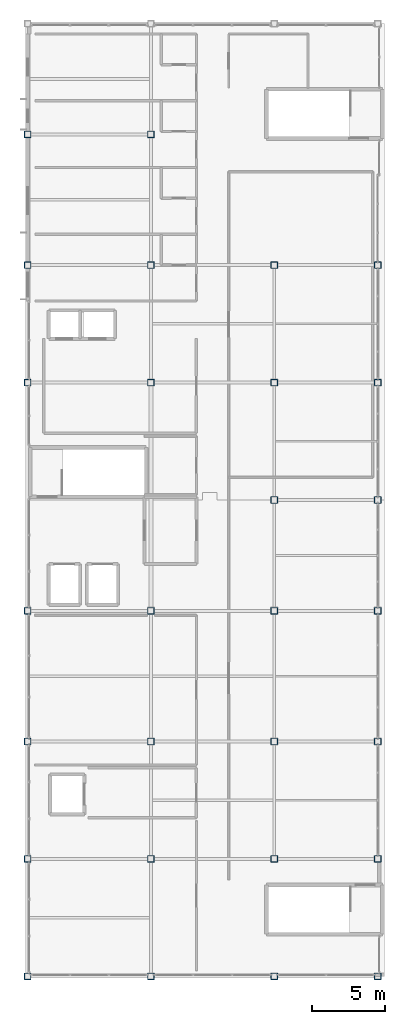
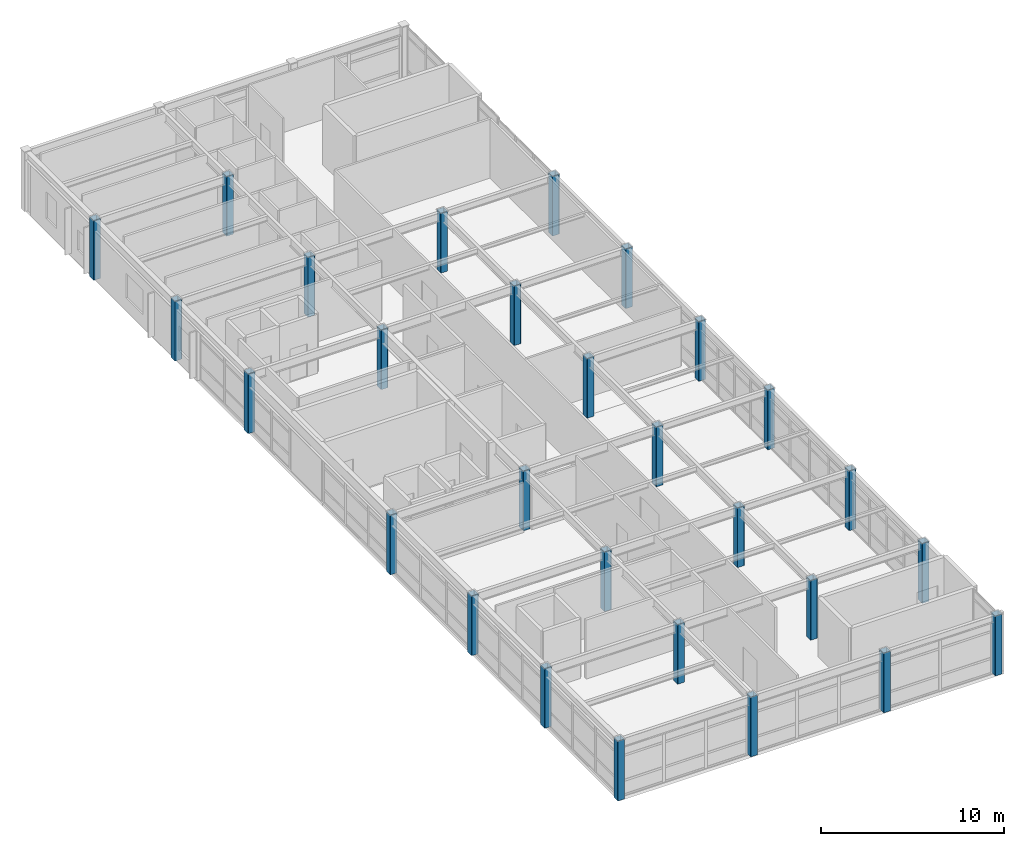
# One storey, part 1 of 34: 28 columns.
"""IFC4 building model written with IfcOpenShell, lengths in metres."""

from ifc_helpers import new_model, si_unit, direction, frame, origin, origin_2d, place, context, subcontext, project, spatial, hollow_rectangle, extrude, material, material_profile, profile_set, type_object, element, save


model = new_model("IFC4")

# Units and contexts
model_context = context("Model", 3, precision=1e-05, world=origin(), true_north=direction((0.0, 1.0)))
body_context = subcontext(model_context, "Body", "Model", "MODEL_VIEW")
ifc_project = project(units=[si_unit("LENGTHUNIT", "METRE"), si_unit("AREAUNIT", "SQUARE_METRE"), si_unit("VOLUMEUNIT", "CUBIC_METRE"), si_unit("PLANEANGLEUNIT", "RADIAN"), si_unit("MASSUNIT", "GRAM", prefix="KILO")], contexts=[model_context])

# Site, building, storey
site_placement = place(None, origin())
site = spatial("IfcSite", under=ifc_project, at=site_placement, CompositionType="ELEMENT")
building_placement = place(site_placement, origin())
building = spatial("IfcBuilding", under=site, at=building_placement, Name="Kazehara Bluff Congress Hotel", CompositionType="ELEMENT")
storey_placement = place(building_placement, frame((0.0, 0.0, 46.199951171875)))
storey = spatial("IfcBuildingStorey", under=building, at=storey_placement, Name="L11", CompositionType="ELEMENT", Elevation=46.199951171875)

# Columns
ifc_material = material(Name="Steel BCR295", Category="steel")
ifc_material_profile = material_profile(ifc_material, hollow_rectangle(XDim=0.449951171875, YDim=0.449951171875, WallThickness=0.01904296875, InnerFilletRadius=0.01904296875, OuterFilletRadius=0.0380859375, at=origin_2d()))
ifc_profile_set = profile_set([ifc_material_profile], Name="Steel BCR295")
column_type = type_object("IfcColumnType", Name="TP-C-08", PredefinedType="COLUMN", material=ifc_profile_set)
for number, where, z_axis, x_axis, name in (
    (1, (143.699951171875, 16.0, 0.0), (0.0, 0.0, 1.0), (1.0, 0.0, 0.0), "L11 column C-08 (143.70,16.00)"),
    (2, (143.699951171875, 24.0, 0.0), (0.0, 0.0, 1.0), (1.0, 0.0, 0.0), "L11 column C-08 (143.70,24.00)"),
    (3, (143.699951171875, 32.0, 0.0), (0.0, 0.0, 1.0), (1.0, 0.0, 0.0), "L11 column C-08 (143.70,32.00)"),
    (4, (143.699951171875, 40.89990234375, 0.0), (0.0, 0.0, 1.0), (1.0, 0.0, 0.0), "L11 column C-08 (143.70,40.90)"),
    (5, (143.699951171875, 56.449951171875, 0.0), (0.0, 0.0, 1.0), (1.0, 0.0, 0.0), "L11 column C-08 (143.70,56.45)"),
    (6, (143.699951171875, 64.449951171875, 0.0), (0.0, 0.0, 1.0), (1.0, 0.0, 0.0), "L11 column C-08 (143.70,64.45)"),
    (7, (143.699951171875, 73.35009765625, 0.0), (0.0, 0.0, 1.0), (1.0, 0.0, 0.0), "L11 column C-08 (143.70,73.35)"),
    (8, (152.10009765625, 16.0, 0.0), (0.0, 0.0, 1.0), (1.0, 0.0, 0.0), "L11 column C-08 (152.10,16.00)"),
    (9, (152.10009765625, 24.0, 0.0), (0.0, 0.0, 1.0), (1.0, 0.0, 0.0), "L11 column C-08 (152.10,24.00)"),
    (10, (152.10009765625, 32.0, 0.0), (0.0, 0.0, 1.0), (1.0, 0.0, 0.0), "L11 column C-08 (152.10,32.00)"),
    (11, (152.10009765625, 40.89990234375, 0.0), (0.0, 0.0, 1.0), (1.0, 0.0, 0.0), "L11 column C-08 (152.10,40.90)"),
    (12, (152.10009765625, 56.449951171875, 0.0), (0.0, 0.0, 1.0), (1.0, 0.0, 0.0), "L11 column C-08 (152.10,56.45)"),
    (13, (152.10009765625, 64.449951171875, 0.0), (0.0, 0.0, 1.0), (1.0, 0.0, 0.0), "L11 column C-08 (152.10,64.45)"),
    (14, (152.10009765625, 73.35009765625, 0.0), (0.0, 0.0, 1.0), (1.0, 0.0, 0.0), "L11 column C-08 (152.10,73.35)"),
    (15, (160.5, 16.0, 0.0), (0.0, 0.0, 1.0), (1.0, 0.0, 0.0), "L11 column C-08 (160.50,16.00)"),
    (16, (160.5, 24.0, 0.0), (0.0, 0.0, 1.0), (1.0, 0.0, 0.0), "L11 column C-08 (160.50,24.00)"),
    (17, (160.5, 32.0, 0.0), (0.0, 0.0, 1.0), (1.0, 0.0, 0.0), "L11 column C-08 (160.50,32.00)"),
    (18, (160.5, 40.89990234375, 0.0), (0.0, 0.0, 1.0), (1.0, 0.0, 0.0), "L11 column C-08 (160.50,40.90)"),
    (19, (160.5, 48.449951171875, 0.0), (0.0, 0.0, 1.0), (1.0, 0.0, 0.0), "L11 column C-08 (160.50,48.45)"),
    (20, (160.5, 56.449951171875, 0.0), (0.0, 0.0, 1.0), (1.0, 0.0, 0.0), "L11 column C-08 (160.50,56.45)"),
    (21, (160.5, 64.449951171875, 0.0), (0.0, 0.0, 1.0), (1.0, 0.0, 0.0), "L11 column C-08 (160.50,64.45)"),
    (22, (167.550048828125, 16.0, 0.0), (0.0, 0.0, 1.0), (1.0, 0.0, 0.0), "L11 column C-08 (167.55,16.00)"),
    (23, (167.550048828125, 24.0, 0.0), (0.0, 0.0, 1.0), (1.0, 0.0, 0.0), "L11 column C-08 (167.55,24.00)"),
    (24, (167.550048828125, 32.0, 0.0), (0.0, 0.0, 1.0), (1.0, 0.0, 0.0), "L11 column C-08 (167.55,32.00)"),
    (25, (167.550048828125, 40.89990234375, 0.0), (0.0, 0.0, 1.0), (1.0, 0.0, 0.0), "L11 column C-08 (167.55,40.90)"),
    (26, (167.550048828125, 48.449951171875, 0.0), (0.0, 0.0, 1.0), (1.0, 0.0, 0.0), "L11 column C-08 (167.55,48.45)"),
    (27, (167.550048828125, 56.449951171875, 0.0), (0.0, 0.0, 1.0), (1.0, 0.0, 0.0), "L11 column C-08 (167.55,56.45)"),
    (28, (167.550048828125, 64.449951171875, 0.0), (0.0, 0.0, 1.0), (1.0, 0.0, 0.0), "L11 column C-08 (167.55,64.45)"),
):
    element("IfcColumn", number, at=place(storey_placement, frame(where, z_axis=z_axis, x_axis=x_axis)), inside=storey, type_object=column_type, Name=name, PredefinedType="COLUMN", context=body_context, shape_type="SweptSolid", body=[
        extrude(hollow_rectangle(XDim=0.449951171875, YDim=0.449951171875, WallThickness=0.01904296875, InnerFilletRadius=0.01904296875, OuterFilletRadius=0.0380859375, at=origin_2d()), origin(), (0.0, 0.0, 1.0), 3.989990234375),
    ])

save(model, "model.ifc")
